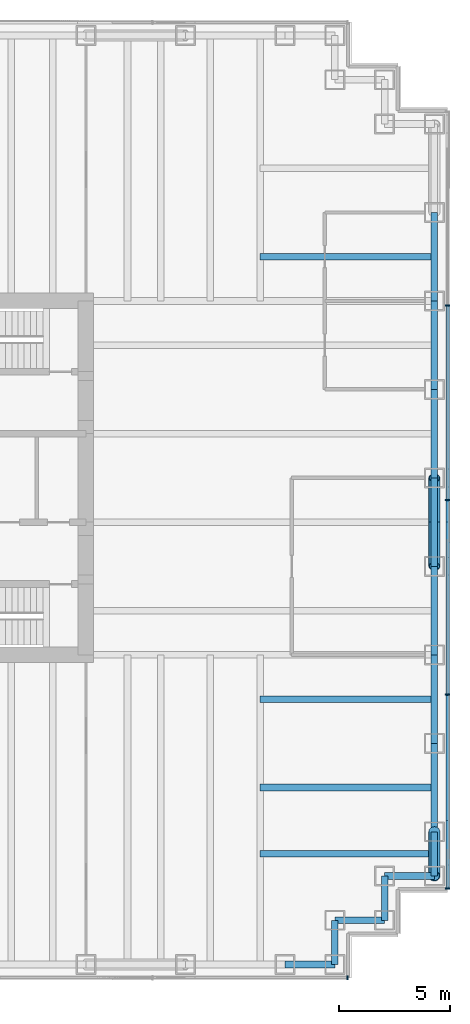
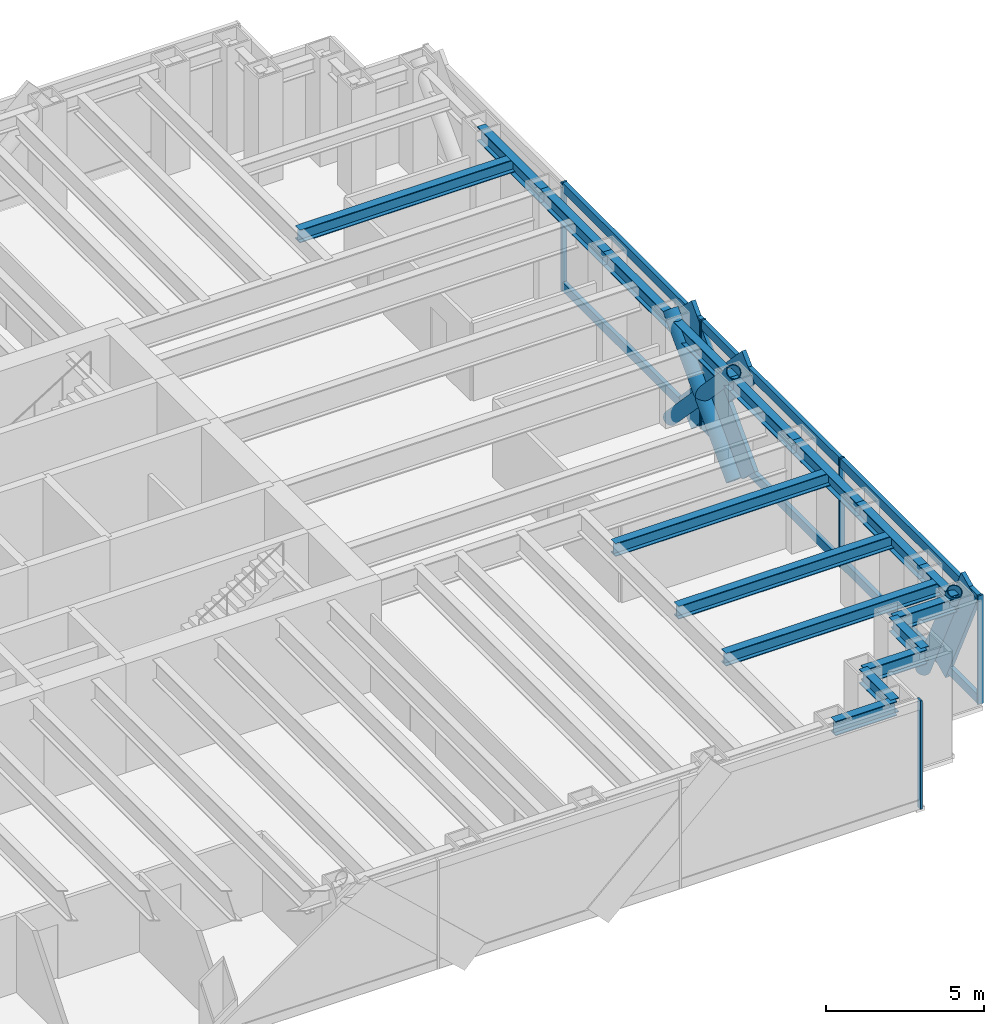
# One storey, part 8 of 15: 17 beams, 17 members, 2 elements without a shape of their own.
"""IFC4 building model written with IfcOpenShell, lengths in metres."""

import ifcopenshell
import ifcopenshell.guid

model = None  # the IFC model being written
_history = None  # IfcOwnerHistory: only IFC2X3 demands one
_inside = {}  # id of a spatial element -> (the spatial element, [elements in it])
_under = {}  # id of a project, library or spatial element -> (it, [spatial elements below it])
_declared = {}  # id of a project -> (the project, [libraries it declares])
_typed = {}  # id of a type object -> (the type object, [elements of that type])
_made_of = {}  # id of a material, layer set ... -> (it, [elements and type objects made of it])


def new_model(schema):
    """Start an empty IFC model of exactly this schema.

    Asked for "IFC4X3", IfcOpenShell would pick the latest addendum, in which some entities
    have other attributes; the version numbers below select the first issue.
    IFC2X3 requires an IfcOwnerHistory on every rooted entity: one is made here for all.
    """
    global model, _history
    if schema == "IFC4X3":
        model = ifcopenshell.file(schema_version=(4, 3, 0, 0))
    else:
        model = ifcopenshell.file(schema=schema)
    _inside.clear()
    _under.clear()
    _declared.clear()
    _typed.clear()
    _made_of.clear()
    _history = None
    if model.schema == "IFC2X3":
        org = make("IfcOrganization", Name="unknown")
        user = make(
            "IfcPersonAndOrganization",
            ThePerson=make("IfcPerson", FamilyName="unknown"),
            TheOrganization=org,
        )
        app = make(
            "IfcApplication",
            ApplicationDeveloper=org,
            Version="unknown",
            ApplicationFullName="unknown",
            ApplicationIdentifier="unknown",
        )
        _history = make(
            "IfcOwnerHistory",
            OwningUser=user,
            OwningApplication=app,
            ChangeAction="ADDED",
            CreationDate=0,
        )
    return model


def make(cls, **values):
    """One entity of the class cls with the attributes given. An attribute that is None is left unset."""
    return model.create_entity(
        cls, **{name: value for name, value in values.items() if value is not None}
    )


def rooted(cls, **values):
    """An entity with a GlobalId (a new one), such as an element, a storey or a relation."""
    return make(cls, GlobalId=ifcopenshell.guid.new(), OwnerHistory=_history, **values)


def si_unit(unit_type, name, prefix=None):
    """IfcSIUnit, for example si_unit("LENGTHUNIT", "METRE", prefix="MILLI")."""
    return make("IfcSIUnit", UnitType=unit_type, Prefix=prefix, Name=name)


def assignment(units):
    """IfcUnitAssignment: the units of a project."""
    return None if units is None else make("IfcUnitAssignment", Units=units)


def point(xyz):
    """IfcCartesianPoint."""
    return None if xyz is None else make("IfcCartesianPoint", Coordinates=xyz)


def direction(xyz):
    """IfcDirection."""
    return None if xyz is None else make("IfcDirection", DirectionRatios=xyz)


def frame(location, z_axis=None, x_axis=None):
    """IfcAxis2Placement3D, a coordinate frame: its origin and axes. An axis left out is left unset."""
    return make(
        "IfcAxis2Placement3D",
        Location=point(location),
        Axis=direction(z_axis),
        RefDirection=direction(x_axis),
    )


def frame_2d(location, x_axis=None):
    """IfcAxis2Placement2D, a coordinate frame in the plane: its origin and x axis."""
    return make(
        "IfcAxis2Placement2D", Location=point(location), RefDirection=direction(x_axis)
    )


def origin():
    """The frame at (0, 0, 0) with its axes left unset."""
    return frame((0.0, 0.0, 0.0))


def origin_2d():
    """The frame at (0, 0) in the plane with its x axis left unset."""
    return frame_2d((0.0, 0.0))


def place(relative_to, where):
    """IfcLocalPlacement: puts the frame where relative to a parent placement (None: the world)."""
    return make(
        "IfcLocalPlacement", PlacementRelTo=relative_to, RelativePlacement=where
    )


def context(
    kind, dimensions, precision=None, world=None, true_north=None, identifier=None
):
    """IfcGeometricRepresentationContext, for example the 3D "Model" context."""
    return make(
        "IfcGeometricRepresentationContext",
        ContextIdentifier=identifier,
        ContextType=kind,
        CoordinateSpaceDimension=dimensions,
        Precision=precision,
        WorldCoordinateSystem=world,
        TrueNorth=true_north,
    )


def subcontext(parent, identifier, kind, view, scale=None):
    """IfcGeometricRepresentationSubContext, for example "Body" below "Model"."""
    return make(
        "IfcGeometricRepresentationSubContext",
        ContextIdentifier=identifier,
        ContextType=kind,
        ParentContext=parent,
        TargetScale=scale,
        TargetView=view,
    )


def project(units=None, contexts=None):
    """IfcProject with its units and contexts."""
    return rooted(
        "IfcProject",
        Name="project",
        RepresentationContexts=contexts,
        UnitsInContext=assignment(units),
    )


def spatial(cls, under=None, at=None, **own):
    """A site, building, storey or space (cls), placed at a placement, below another one or the project."""
    s = rooted(cls, ObjectPlacement=at, **own)
    if under is not None:
        _under.setdefault(under.id(), (under, []))[1].append(s)
    return s


def profile(cls, at=None, kind="AREA", **sizes):
    """A parametric profile (cls). Its sizes go by their IFC names, for example OverallWidth=200.0."""
    return make(cls, ProfileType=kind, Position=at, **sizes)


def rectangle(**sizes):
    """IfcRectangleProfileDef."""
    return profile("IfcRectangleProfileDef", **sizes)


def hollow_circle(**sizes):
    """IfcCircleHollowProfileDef."""
    return profile("IfcCircleHollowProfileDef", **sizes)


def i_section(**sizes):
    """IfcIShapeProfileDef."""
    return profile("IfcIShapeProfileDef", **sizes)


def extrude(swept, where, along, depth):
    """IfcExtrudedAreaSolid: the profile swept, set in the frame where, extruded along a direction by depth."""
    return make(
        "IfcExtrudedAreaSolid",
        SweptArea=swept,
        Position=where,
        ExtrudedDirection=direction(along),
        Depth=depth,
    )


def shape(context_of_items, identifier, shape_type, items):
    """IfcShapeRepresentation: the items that make up one representation, for example the "Body"."""
    return make(
        "IfcShapeRepresentation",
        ContextOfItems=context_of_items,
        RepresentationIdentifier=identifier,
        RepresentationType=shape_type,
        Items=items,
    )


def material(Name=None, Category=None):
    """IfcMaterial."""
    return make("IfcMaterial", Name=Name, Category=Category)


def material_profile(
    of_material, cross_section, Name=None, Category=None, Priority=None
):
    """IfcMaterialProfile: a cross section and its material."""
    return make(
        "IfcMaterialProfile",
        Name=Name,
        Material=of_material,
        Profile=cross_section,
        Priority=Priority,
        Category=Category,
    )


def profile_set(profiles, Name=None, composite=None):
    """IfcMaterialProfileSet."""
    return make(
        "IfcMaterialProfileSet",
        Name=Name,
        MaterialProfiles=profiles,
        CompositeProfile=composite,
    )


def made_of(thing, what):
    """Note that an element or type object is made of a material, layer set ...; save() writes the relation."""
    if what is not None:
        _made_of.setdefault(what.id(), (what, []))[1].append(thing)
    return thing


def type_object(cls, material=None, **own):
    """A type object (cls), such as IfcWallType, which elements share."""
    return made_of(rooted(cls, **own), material)


def element(
    cls,
    number,
    at=None,
    inside=None,
    cuts=None,
    type_object=None,
    material=None,
    context=None,
    identifier="Body",
    shape_type=None,
    held_by="IfcProductDefinitionShape",
    body=None,
    shapes=None,
    **own,
):
    """One element of the class cls, such as IfcWall. Its Tag is "e" and its number.

    at: its placement. inside: the storey or other place that contains it. cuts: it is an
    opening in that element (IfcRelVoidsElement). A single representation is given by context,
    identifier, shape_type and body (its items); several are given by shapes. held_by: the class
    of the entity that holds the representations. save() writes the other relations.
    """
    e = rooted(cls, Tag="e%d" % number, ObjectPlacement=at, **own)
    if body is not None:
        shapes = [shape(context, identifier, shape_type, body)]
    if shapes is not None:
        e.Representation = make(held_by, Representations=shapes)
    if inside is not None:
        _inside.setdefault(inside.id(), (inside, []))[1].append(e)
    if cuts is not None:
        rooted(
            "IfcRelVoidsElement", RelatingBuildingElement=cuts, RelatedOpeningElement=e
        )
    if type_object is not None:
        _typed.setdefault(type_object.id(), (type_object, []))[1].append(e)
    return made_of(e, material)


def aggregate(whole, parts):
    """IfcRelAggregates: a whole, such as a stair, and the parts it consists of."""
    return rooted("IfcRelAggregates", RelatingObject=whole, RelatedObjects=parts)


def save(model, path):
    """Write the relations noted so far, then the file.

    IfcRelAggregates (storeys below a building ...), IfcRelContainedInSpatialStructure (elements
    in a storey), IfcRelDefinesByType, IfcRelAssociatesMaterial and IfcRelDeclares: one each for
    every whole, place, type object, material and project.
    """
    for whole, parts in _under.values():
        aggregate(whole, parts)
    for where, things in _inside.values():
        rooted(
            "IfcRelContainedInSpatialStructure",
            RelatedElements=things,
            RelatingStructure=where,
        )
    for kind, things in _typed.values():
        rooted("IfcRelDefinesByType", RelatedObjects=things, RelatingType=kind)
    for what, things in _made_of.values():
        rooted("IfcRelAssociatesMaterial", RelatedObjects=things, RelatingMaterial=what)
    for by, libraries in _declared.values():
        rooted("IfcRelDeclares", RelatingContext=by, RelatedDefinitions=libraries)
    model.write(path)


model = new_model("IFC4")

# Units and contexts
model_context = context("Model", 3, precision=1e-05, world=origin(), true_north=direction((0.0, 1.0)))
body_context = subcontext(model_context, "Body", "Model", "MODEL_VIEW")
ifc_project = project(units=[si_unit("LENGTHUNIT", "METRE"), si_unit("AREAUNIT", "SQUARE_METRE"), si_unit("VOLUMEUNIT", "CUBIC_METRE"), si_unit("PLANEANGLEUNIT", "RADIAN"), si_unit("MASSUNIT", "GRAM", prefix="KILO")], contexts=[model_context])

# Site, building, storey
site_placement = place(None, origin())
site = spatial("IfcSite", under=ifc_project, at=site_placement, CompositionType="ELEMENT")
building_placement = place(site_placement, origin())
building = spatial("IfcBuilding", under=site, at=building_placement, Name="Rheinbord Bourse Tower", CompositionType="ELEMENT")
storey_placement = place(building_placement, frame((0.0, 0.0, 292.10009765625)))
storey = spatial("IfcBuildingStorey", under=building, at=storey_placement, Name="L66", CompositionType="ELEMENT", Elevation=292.10009765625)

# Curtain wall, members
ifc_material_1 = material(Name="Dark glass and black aluminium", Category="aluminium")
curtain_wall_type = type_object("IfcCurtainWallType", Name="CW3 DARK GLASS CURTAIN WALL", PredefinedType="USERDEFINED", material=ifc_material_1)
curtain_wall_1_placement = place(storey_placement, origin())
curtain_wall_1 = element("IfcCurtainWall", 1, at=curtain_wall_1_placement, inside=storey, type_object=curtain_wall_type, Name="Curtain wall CW3 E L66", ObjectType="UNITISED CURTAIN WALL", PredefinedType="USERDEFINED")
ifc_material_2 = material(Name="Black anodised aluminium", Category="aluminium")
ifc_material_profile_1 = material_profile(ifc_material_2, rectangle(XDim=0.14990234375, YDim=1.10791015625, at=origin_2d()), Name="CW3 DIAGONAL MULLION 1108x150")
ifc_profile_set_1 = profile_set([ifc_material_profile_1], Name="Black anodised aluminium")
member_type_1 = type_object("IfcMemberType", Name="CW3 BLACK DIAGONAL MULLION", PredefinedType="USERDEFINED", material=ifc_profile_set_1)
member_1_placement = place(storey_placement, frame((70.35009765625, 24.0, 0.0), z_axis=(0.0, -0.689659376744, 0.724133926887), x_axis=(1.0, 0.0, 0.0)))
member_1 = element("IfcMember", 2, at=member_1_placement, type_object=member_type_1, Name="CW3 diagonal mullion a", ObjectType="DIAGONAL MULLION", PredefinedType="USERDEFINED", context=body_context, shape_type="SweptSolid", body=[
    extrude(rectangle(XDim=0.14990234375, YDim=1.10791015625, at=origin_2d()), origin(), (0.0, 0.0, 1.0), 5.800048828125),
])
member_2_placement = place(storey_placement, frame((70.35009765625, 20.0, 0.0), z_axis=(0.0, 0.689659376744, 0.724133926887), x_axis=(-1.0, 0.0, 0.0)))
member_2 = element("IfcMember", 3, at=member_2_placement, type_object=member_type_1, Name="CW3 diagonal mullion b", ObjectType="DIAGONAL MULLION", PredefinedType="USERDEFINED", context=body_context, shape_type="SweptSolid", body=[
    extrude(rectangle(XDim=0.14990234375, YDim=1.10791015625, at=origin_2d()), origin(), (0.0, 0.0, 1.0), 5.800048828125),
])
member_3_placement = place(storey_placement, frame((70.35009765625, 8.0, 0.0), z_axis=(0.0, -0.429937654825, 0.902858578607), x_axis=(1.0, 0.0, 0.0)))
member_3 = element("IfcMember", 4, at=member_3_placement, type_object=member_type_1, Name="CW3 diagonal mullion c", ObjectType="DIAGONAL MULLION", PredefinedType="USERDEFINED", context=body_context, shape_type="SweptSolid", body=[
    extrude(rectangle(XDim=0.14990234375, YDim=1.10791015625, at=origin_2d()), origin(), (0.0, 0.0, 1.0), 4.65185546875),
])

# Curtain wall, member
curtain_wall_2_placement = place(storey_placement, origin())
curtain_wall_2 = element("IfcCurtainWall", 5, at=curtain_wall_2_placement, inside=storey, type_object=curtain_wall_type, Name="Curtain wall CW3 S L66", ObjectType="UNITISED CURTAIN WALL", PredefinedType="USERDEFINED")
ifc_material_3 = material(Name="Black anodised aluminium", Category="aluminium")
ifc_material_profile_2 = material_profile(ifc_material_3, rectangle(XDim=0.199951171875, YDim=0.06494140625, at=origin_2d()), Name="CW3 MULLION 65x200")
ifc_profile_set_2 = profile_set([ifc_material_profile_2], Name="Black anodised aluminium")
member_type_2 = type_object("IfcMemberType", Name="CW3 BLACK MULLION", PredefinedType="MULLION", material=ifc_profile_set_2)
member_4_placement = place(storey_placement, frame((65.8173828125, 1.39990234375, 0.0), z_axis=(0.0, 0.0, 1.0), x_axis=(0.0, 1.0, 0.0)))
member_4 = element("IfcMember", 6, at=member_4_placement, type_object=member_type_2, Name="CW3 mullion 8", PredefinedType="MULLION", context=body_context, shape_type="SweptSolid", body=[
    extrude(rectangle(XDim=0.199951171875, YDim=0.06494140625, at=origin_2d()), origin(), (0.0, 0.0, 1.0), 4.199951171875),
])
aggregate(curtain_wall_2, [member_4])

# Member
member_5_placement = place(storey_placement, frame((70.35009765625, 5.4326171875, 0.0), z_axis=(0.0, 0.0, 1.0), x_axis=(-1.0, 0.0, 0.0)))
member_5 = element("IfcMember", 7, at=member_5_placement, type_object=member_type_2, Name="CW3 mullion 1", PredefinedType="MULLION", context=body_context, shape_type="SweptSolid", body=[
    extrude(rectangle(XDim=0.199951171875, YDim=0.06494140625, at=origin_2d()), origin(), (0.0, 0.0, 1.0), 4.199951171875),
])

member_6_placement = place(storey_placement, frame((70.35009765625, 14.199951171875, 0.0), z_axis=(0.0, 0.0, 1.0), x_axis=(-1.0, 0.0, 0.0)))
member_6 = element("IfcMember", 8, at=member_6_placement, type_object=member_type_2, Name="CW3 mullion 2", PredefinedType="MULLION", context=body_context, shape_type="SweptSolid", body=[
    extrude(rectangle(XDim=0.199951171875, YDim=0.06494140625, at=origin_2d()), origin(), (0.0, 0.0, 1.0), 4.199951171875),
])

member_7_placement = place(storey_placement, frame((70.35009765625, 23.0, 0.0), z_axis=(0.0, 0.0, 1.0), x_axis=(-1.0, 0.0, 0.0)))
member_7 = element("IfcMember", 9, at=member_7_placement, type_object=member_type_2, Name="CW3 mullion 3", PredefinedType="MULLION", context=body_context, shape_type="SweptSolid", body=[
    extrude(rectangle(XDim=0.199951171875, YDim=0.06494140625, at=origin_2d()), origin(), (0.0, 0.0, 1.0), 4.199951171875),
])

member_8_placement = place(storey_placement, frame((70.35009765625, 31.800048828125, 0.0), z_axis=(0.0, 0.0, 1.0), x_axis=(-1.0, 0.0, 0.0)))
member_8 = element("IfcMember", 10, at=member_8_placement, type_object=member_type_2, Name="CW3 mullion 4", PredefinedType="MULLION", context=body_context, shape_type="SweptSolid", body=[
    extrude(rectangle(XDim=0.199951171875, YDim=0.06494140625, at=origin_2d()), origin(), (0.0, 0.0, 1.0), 4.199951171875),
])

ifc_material_4 = material(Name="Black anodised aluminium", Category="aluminium")
ifc_material_profile_3 = material_profile(ifc_material_4, rectangle(XDim=0.14990234375, YDim=0.35009765625, at=origin_2d()), Name="CW3 TRANSOM 350x150")
ifc_profile_set_3 = profile_set([ifc_material_profile_3], Name="Black anodised aluminium")
member_type_3 = type_object("IfcMemberType", Name="CW3 BLACK TRANSOM", PredefinedType="USERDEFINED", material=ifc_profile_set_3)
member_9_placement = place(storey_placement, frame((70.35009765625, 5.465087890625, 0.1748046875), z_axis=(0.0, 1.0, 0.0), x_axis=(-1.0, 0.0, 0.0)))
member_9 = element("IfcMember", 11, at=member_9_placement, type_object=member_type_3, Name="CW3 transom 1.1", ObjectType="TRANSOM", PredefinedType="USERDEFINED", context=body_context, shape_type="SweptSolid", body=[
    extrude(rectangle(XDim=0.14990234375, YDim=0.35009765625, at=origin_2d()), origin(), (0.0, 0.0, 1.0), 8.702392578125),
])

member_10_placement = place(storey_placement, frame((70.35009765625, 5.465087890625, 4.02490234375), z_axis=(0.0, 1.0, 0.0), x_axis=(-1.0, 0.0, 0.0)))
member_10 = element("IfcMember", 12, at=member_10_placement, type_object=member_type_3, Name="CW3 transom 1.2", ObjectType="TRANSOM", PredefinedType="USERDEFINED", context=body_context, shape_type="SweptSolid", body=[
    extrude(rectangle(XDim=0.14990234375, YDim=0.35009765625, at=origin_2d()), origin(), (0.0, 0.0, 1.0), 8.702392578125),
])

member_11_placement = place(storey_placement, frame((70.35009765625, 14.232421875, 0.1748046875), z_axis=(0.0, 1.0, 0.0), x_axis=(-1.0, 0.0, 0.0)))
member_11 = element("IfcMember", 13, at=member_11_placement, type_object=member_type_3, Name="CW3 transom 2.1", ObjectType="TRANSOM", PredefinedType="USERDEFINED", context=body_context, shape_type="SweptSolid", body=[
    extrude(rectangle(XDim=0.14990234375, YDim=0.35009765625, at=origin_2d()), origin(), (0.0, 0.0, 1.0), 8.735107421875),
])

member_12_placement = place(storey_placement, frame((70.35009765625, 14.232421875, 4.02490234375), z_axis=(0.0, 1.0, 0.0), x_axis=(-1.0, 0.0, 0.0)))
member_12 = element("IfcMember", 14, at=member_12_placement, type_object=member_type_3, Name="CW3 transom 2.2", ObjectType="TRANSOM", PredefinedType="USERDEFINED", context=body_context, shape_type="SweptSolid", body=[
    extrude(rectangle(XDim=0.14990234375, YDim=0.35009765625, at=origin_2d()), origin(), (0.0, 0.0, 1.0), 8.735107421875),
])

member_13_placement = place(storey_placement, frame((70.35009765625, 23.032470703125, 0.1748046875), z_axis=(0.0, 1.0, 0.0), x_axis=(-1.0, 0.0, 0.0)))
member_13 = element("IfcMember", 15, at=member_13_placement, type_object=member_type_3, Name="CW3 transom 3.1", ObjectType="TRANSOM", PredefinedType="USERDEFINED", context=body_context, shape_type="SweptSolid", body=[
    extrude(rectangle(XDim=0.14990234375, YDim=0.35009765625, at=origin_2d()), origin(), (0.0, 0.0, 1.0), 8.735107421875),
])

member_14_placement = place(storey_placement, frame((70.35009765625, 23.032470703125, 4.02490234375), z_axis=(0.0, 1.0, 0.0), x_axis=(-1.0, 0.0, 0.0)))
member_14 = element("IfcMember", 16, at=member_14_placement, type_object=member_type_3, Name="CW3 transom 3.2", ObjectType="TRANSOM", PredefinedType="USERDEFINED", context=body_context, shape_type="SweptSolid", body=[
    extrude(rectangle(XDim=0.14990234375, YDim=0.35009765625, at=origin_2d()), origin(), (0.0, 0.0, 1.0), 8.735107421875),
])

aggregate(curtain_wall_1, [member_5, member_6, member_7, member_8, member_9, member_10, member_11, member_12, member_13, member_14, member_1, member_2, member_3])

# Members
ifc_material_5 = material(Name="Steel S460", Category="steel")
ifc_material_profile_4 = material_profile(ifc_material_5, hollow_circle(Radius=0.25390625, WallThickness=0.030029296875, at=origin_2d()), Name="CHS 508x30")
ifc_profile_set_4 = profile_set([ifc_material_profile_4], Name="Steel S460")
member_type_4 = type_object("IfcMemberType", Name="MEGABRACE CHS 508x30", PredefinedType="BRACE", material=ifc_profile_set_4)
for number, where, z_axis, x_axis, name in (
    (17, (69.75, 24.0, 0.0), (0.0, -0.689659376744, 0.724133926887), (1.0, 0.0, 0.0), "Megabrace E face line a L66"),
    (18, (69.75, 20.0, 0.0), (0.0, 0.689659376744, 0.724133926887), (-1.0, 0.0, 0.0), "Megabrace E face line b L66"),
):
    element("IfcMember", number, at=place(storey_placement, frame(where, z_axis=z_axis, x_axis=x_axis)), inside=storey, type_object=member_type_4, Name=name, PredefinedType="BRACE", context=body_context, shape_type="SweptSolid", body=[
        extrude(hollow_circle(Radius=0.25390625, WallThickness=0.030029296875, at=origin_2d()), origin(), (0.0, 0.0, 1.0), 5.800048828125),
    ])
member_15_placement = place(storey_placement, frame((69.75, 8.0, 0.0), z_axis=(0.0, -0.429937654825, 0.902858578607), x_axis=(1.0, 0.0, 0.0)))
element("IfcMember", 19, at=member_15_placement, inside=storey, type_object=member_type_4, Name="Megabrace E face line c L66", PredefinedType="BRACE", context=body_context, shape_type="SweptSolid", body=[
    extrude(hollow_circle(Radius=0.25390625, WallThickness=0.030029296875, at=origin_2d()), origin(), (0.0, 0.0, 1.0), 4.65185546875),
])

# Beams
ifc_material_6 = material(Name="Steel S460", Category="steel")
ifc_material_profile_5 = material_profile(ifc_material_6, i_section(OverallWidth=0.300048828125, OverallDepth=0.550048828125, WebThickness=0.014892578125, FlangeThickness=0.029052734375, at=origin_2d()), Name="HEB 550")
ifc_profile_set_5 = profile_set([ifc_material_profile_5], Name="Steel S460")
beam_type_1 = type_object("IfcBeamType", Name="SPANDREL HEB 550", PredefinedType="SPANDREL", material=ifc_profile_set_5)
beam_1_placement = place(storey_placement, frame((63.0, 2.0, 3.764892578125), z_axis=(1.0, 0.0, 0.0), x_axis=(0.0, 1.0, 0.0)))
element("IfcBeam", 20, at=beam_1_placement, inside=storey, type_object=beam_type_1, Name="Spandrel S-63-SE-E under L67", PredefinedType="SPANDREL", context=body_context, shape_type="SweptSolid", body=[
    extrude(i_section(OverallWidth=0.300048828125, OverallDepth=0.550048828125, WebThickness=0.014892578125, FlangeThickness=0.029052734375, at=origin_2d()), origin(), (0.0, 0.0, 1.0), 2.25),
])
beam_2_placement = place(storey_placement, frame((65.25, 2.0, 3.764892578125), z_axis=(0.0, 1.0, 0.0), x_axis=(-1.0, 0.0, 0.0)))
element("IfcBeam", 21, at=beam_2_placement, inside=storey, type_object=beam_type_1, Name="Spandrel SE-E-SE-D under L67", PredefinedType="SPANDREL", context=body_context, shape_type="SweptSolid", body=[
    extrude(i_section(OverallWidth=0.300048828125, OverallDepth=0.550048828125, WebThickness=0.014892578125, FlangeThickness=0.029052734375, at=origin_2d()), origin(), (0.0, 0.0, 1.0), 2.0),
])
beam_3_placement = place(storey_placement, frame((65.25, 4.0, 3.764892578125), z_axis=(1.0, 0.0, 0.0), x_axis=(0.0, 1.0, 0.0)))
element("IfcBeam", 22, at=beam_3_placement, inside=storey, type_object=beam_type_1, Name="Spandrel SE-D-SE-C under L67", PredefinedType="SPANDREL", context=body_context, shape_type="SweptSolid", body=[
    extrude(i_section(OverallWidth=0.300048828125, OverallDepth=0.550048828125, WebThickness=0.014892578125, FlangeThickness=0.029052734375, at=origin_2d()), origin(), (0.0, 0.0, 1.0), 2.25),
])
beam_4_placement = place(storey_placement, frame((67.5, 4.0, 3.764892578125), z_axis=(0.0, 1.0, 0.0), x_axis=(-1.0, 0.0, 0.0)))
element("IfcBeam", 23, at=beam_4_placement, inside=storey, type_object=beam_type_1, Name="Spandrel SE-C-SE-B under L67", PredefinedType="SPANDREL", context=body_context, shape_type="SweptSolid", body=[
    extrude(i_section(OverallWidth=0.300048828125, OverallDepth=0.550048828125, WebThickness=0.014892578125, FlangeThickness=0.029052734375, at=origin_2d()), origin(), (0.0, 0.0, 1.0), 2.0),
])
beam_5_placement = place(storey_placement, frame((67.5, 6.0, 3.764892578125), z_axis=(1.0, 0.0, 0.0), x_axis=(0.0, 1.0, 0.0)))
element("IfcBeam", 24, at=beam_5_placement, inside=storey, type_object=beam_type_1, Name="Spandrel SE-B-SE-A under L67", PredefinedType="SPANDREL", context=body_context, shape_type="SweptSolid", body=[
    extrude(i_section(OverallWidth=0.300048828125, OverallDepth=0.550048828125, WebThickness=0.014892578125, FlangeThickness=0.029052734375, at=origin_2d()), origin(), (0.0, 0.0, 1.0), 2.25),
])
beam_6_placement = place(storey_placement, frame((69.75, 6.0, 3.764892578125), z_axis=(0.0, 1.0, 0.0), x_axis=(-1.0, 0.0, 0.0)))
element("IfcBeam", 25, at=beam_6_placement, inside=storey, type_object=beam_type_1, Name="Spandrel SE-A-E-8 under L67", PredefinedType="SPANDREL", context=body_context, shape_type="SweptSolid", body=[
    extrude(i_section(OverallWidth=0.300048828125, OverallDepth=0.550048828125, WebThickness=0.014892578125, FlangeThickness=0.029052734375, at=origin_2d()), origin(), (0.0, 0.0, 1.0), 2.0),
])
for number, where, z_axis, x_axis, name in (
    (26, (69.75, 8.0, 3.764892578125), (0.0, 1.0, 0.0), (-1.0, 0.0, 0.0), "Spandrel E-8-E-12 under L67"),
    (27, (69.75, 12.0, 3.764892578125), (0.0, 1.0, 0.0), (-1.0, 0.0, 0.0), "Spandrel E-12-E-16 under L67"),
    (28, (69.75, 16.0, 3.764892578125), (0.0, 1.0, 0.0), (-1.0, 0.0, 0.0), "Spandrel E-16-E-20 under L67"),
    (29, (69.75, 20.0, 3.764892578125), (0.0, 1.0, 0.0), (-1.0, 0.0, 0.0), "Spandrel E-20-E-24 under L67"),
    (30, (69.75, 24.0, 3.764892578125), (0.0, 1.0, 0.0), (-1.0, 0.0, 0.0), "Spandrel E-24-E-28 under L67"),
    (31, (69.75, 28.0, 3.764892578125), (0.0, 1.0, 0.0), (-1.0, 0.0, 0.0), "Spandrel E-28-E-32 under L67"),
    (32, (69.75, 32.0, 3.764892578125), (0.0, 1.0, 0.0), (-1.0, 0.0, 0.0), "Spandrel E-32-E-36 under L67"),
):
    element("IfcBeam", number, at=place(storey_placement, frame(where, z_axis=z_axis, x_axis=x_axis)), inside=storey, type_object=beam_type_1, Name=name, PredefinedType="SPANDREL", context=body_context, shape_type="SweptSolid", body=[
        extrude(i_section(OverallWidth=0.300048828125, OverallDepth=0.550048828125, WebThickness=0.014892578125, FlangeThickness=0.029052734375, at=origin_2d()), origin(), (0.0, 0.0, 1.0), 4.0),
    ])
ifc_material_7 = material(Name="Steel S460", Category="steel")
ifc_material_profile_6 = material_profile(ifc_material_7, i_section(OverallWidth=0.300048828125, OverallDepth=0.5, WebThickness=0.014404296875, FlangeThickness=0.028076171875, at=origin_2d()), Name="HEB 500")
ifc_profile_set_6 = profile_set([ifc_material_profile_6], Name="Steel S460")
beam_type_2 = type_object("IfcBeamType", Name="TIE BEAM HEB 500", PredefinedType="JOIST", material=ifc_profile_set_6)
for number, where, z_axis, x_axis, name in (
    (33, (61.875, 7.0, 3.789794921875), (1.0, 0.0, 0.0), (0.0, 1.0, 0.0), "Tie east 7 L67"),
    (34, (61.875, 10.0, 3.789794921875), (1.0, 0.0, 0.0), (0.0, 1.0, 0.0), "Tie east 10 L67"),
    (35, (61.875, 14.0, 3.789794921875), (1.0, 0.0, 0.0), (0.0, 1.0, 0.0), "Tie east 14 L67"),
    (36, (61.875, 34.0, 3.789794921875), (1.0, 0.0, 0.0), (0.0, 1.0, 0.0), "Tie east 34 L67"),
):
    element("IfcBeam", number, at=place(storey_placement, frame(where, z_axis=z_axis, x_axis=x_axis)), inside=storey, type_object=beam_type_2, Name=name, PredefinedType="JOIST", context=body_context, shape_type="SweptSolid", body=[
        extrude(i_section(OverallWidth=0.300048828125, OverallDepth=0.5, WebThickness=0.014404296875, FlangeThickness=0.028076171875, at=origin_2d()), origin(), (0.0, 0.0, 1.0), 7.875),
    ])

save(model, "model.ifc")
